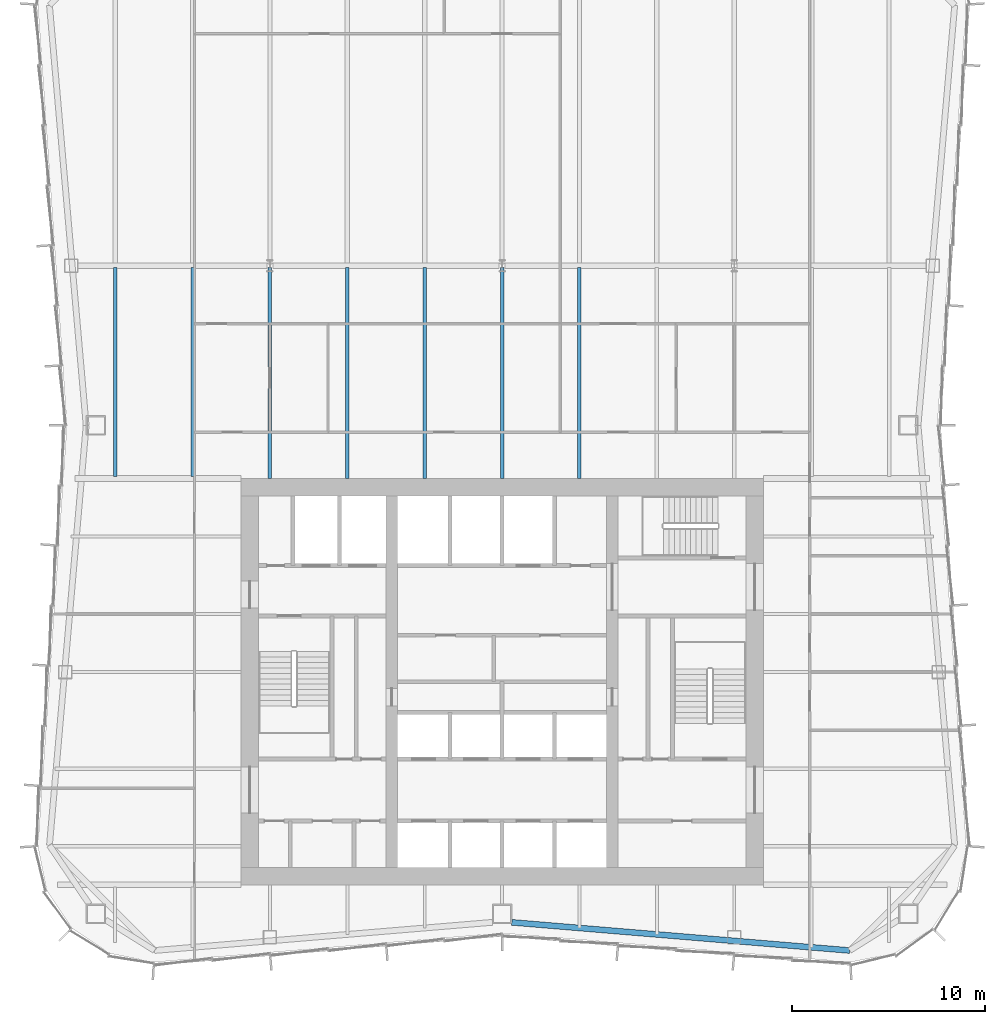
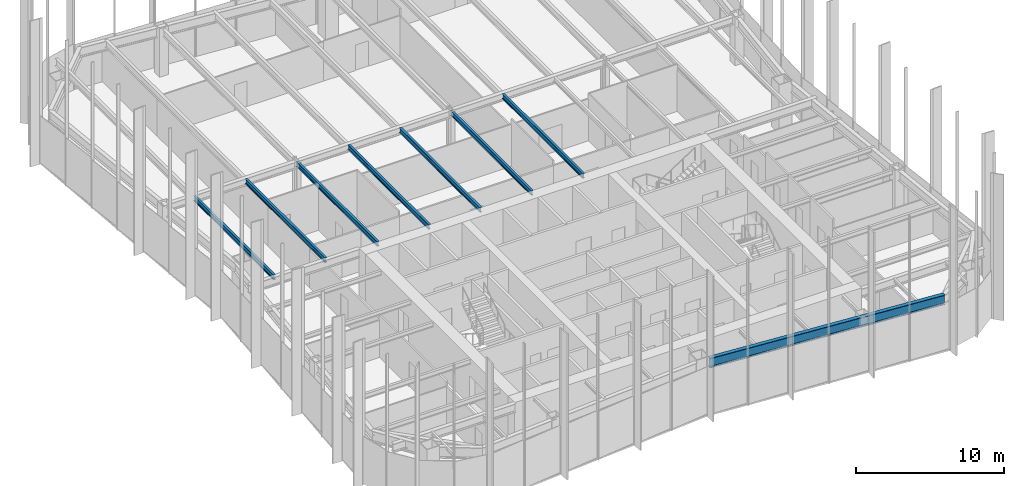
# One storey, part 3 of 13: 8 beams.
"""IFC4 building model written with IfcOpenShell, lengths in metres."""

from ifc_helpers import new_model, si_unit, direction, frame, origin, origin_2d, place, context, subcontext, project, spatial, i_section, extrude, material, material_profile, profile_set, type_object, element, save


model = new_model("IFC4")

# Units and contexts
model_context = context("Model", 3, precision=1e-05, world=origin(), true_north=direction((0.0, 1.0)))
body_context = subcontext(model_context, "Body", "Model", "MODEL_VIEW")
ifc_project = project(units=[si_unit("LENGTHUNIT", "METRE"), si_unit("AREAUNIT", "SQUARE_METRE"), si_unit("VOLUMEUNIT", "CUBIC_METRE"), si_unit("PLANEANGLEUNIT", "RADIAN"), si_unit("MASSUNIT", "GRAM", prefix="KILO")], contexts=[model_context])

# Site, building, storey
site_placement = place(None, origin())
site = spatial("IfcSite", under=ifc_project, at=site_placement, CompositionType="ELEMENT")
building_placement = place(site_placement, origin())
building = spatial("IfcBuilding", under=site, at=building_placement, Name="Verdant Reach Tower", CompositionType="ELEMENT")
storey_placement = place(building_placement, frame((0.0, 0.0, 206.0)))
storey = spatial("IfcBuildingStorey", under=building, at=storey_placement, Name="L47", CompositionType="ELEMENT", Elevation=206.0)

# Beams
ifc_material = material(Name="Steel S355", Category="steel")
ifc_material_profile_1 = material_profile(ifc_material, i_section(OverallWidth=0.179931640625, OverallDepth=0.39990234375, WebThickness=0.008544921875, FlangeThickness=0.013427734375, FilletRadius=0.02099609375, at=origin_2d()), Name="IPE 400")
ifc_profile_set_1 = profile_set([ifc_material_profile_1], Name="Steel S355")
beam_type_1 = type_object("IfcBeamType", Name="ST-JOIST-IPE400", PredefinedType="JOIST", material=ifc_profile_set_1)
for number, where, z_axis, x_axis, name in (
    (1, (-20.0, 38.60009765625, 3.669921875), (0.0, 1.0, 0.0), (-1.0, 0.0, 0.0), "Floor joist, L47"),
    (2, (-16.0, 38.60009765625, 3.669921875), (0.0, 1.0, 0.0), (-1.0, 0.0, 0.0), "Floor joist, L47"),
):
    element("IfcBeam", number, at=place(storey_placement, frame(where, z_axis=z_axis, x_axis=x_axis)), inside=storey, type_object=beam_type_1, Name=name, PredefinedType="JOIST", context=body_context, shape_type="SweptSolid", body=[
        extrude(i_section(OverallWidth=0.179931640625, OverallDepth=0.39990234375, WebThickness=0.008544921875, FlangeThickness=0.013427734375, FilletRadius=0.02099609375, at=origin_2d()), origin(), (0.0, 0.0, 1.0), 10.7998046875),
    ])
for number, where, z_axis, x_axis, name in (
    (3, (-12.0, 38.5, 3.669921875), (0.0, 1.0, 0.0), (-1.0, 0.0, 0.0), "Floor joist, L47"),
    (4, (-8.0, 38.5, 3.669921875), (0.0, 1.0, 0.0), (-1.0, 0.0, 0.0), "Floor joist, L47"),
    (5, (-4.0, 38.5, 3.669921875), (0.0, 1.0, 0.0), (-1.0, 0.0, 0.0), "Floor joist, L47"),
    (6, (0.0, 38.5, 3.669921875), (0.0, 1.0, 0.0), (-1.0, 0.0, 0.0), "Floor joist, L47"),
    (7, (4.0, 38.5, 3.669921875), (0.0, 1.0, 0.0), (-1.0, 0.0, 0.0), "Floor joist, L47"),
):
    element("IfcBeam", number, at=place(storey_placement, frame(where, z_axis=z_axis, x_axis=x_axis)), inside=storey, type_object=beam_type_1, Name=name, PredefinedType="JOIST", context=body_context, shape_type="SweptSolid", body=[
        extrude(i_section(OverallWidth=0.179931640625, OverallDepth=0.39990234375, WebThickness=0.008544921875, FlangeThickness=0.013427734375, FilletRadius=0.02099609375, at=origin_2d()), origin(), (0.0, 0.0, 1.0), 10.89990234375),
    ])
ifc_material_profile_2 = material_profile(ifc_material, i_section(OverallWidth=0.300048828125, OverallDepth=0.800048828125, WebThickness=0.017578125, FlangeThickness=0.032958984375, FilletRadius=0.030029296875, at=origin_2d()), Name="HEB 800")
ifc_profile_set_2 = profile_set([ifc_material_profile_2], Name="Steel S355")
beam_type_2 = type_object("IfcBeamType", Name="ST-SPANDREL-HEB800", PredefinedType="SPANDREL", material=ifc_profile_set_2)
beam_placement = place(storey_placement, frame((17.9658203125, 14.10498046875, 3.469970703125), z_axis=(-0.99654652675, 0.083036257282, 0.0), x_axis=(-0.083036257282, -0.99654652675, 0.0)))
element("IfcBeam", 8, at=beam_placement, inside=storey, type_object=beam_type_2, Name="Edge beam, L47", PredefinedType="SPANDREL", context=body_context, shape_type="SweptSolid", body=[
    extrude(i_section(OverallWidth=0.300048828125, OverallDepth=0.800048828125, WebThickness=0.017578125, FlangeThickness=0.032958984375, FilletRadius=0.030029296875, at=origin_2d()), origin(), (0.0, 0.0, 1.0), 17.5263671875),
])

save(model, "model.ifc")
